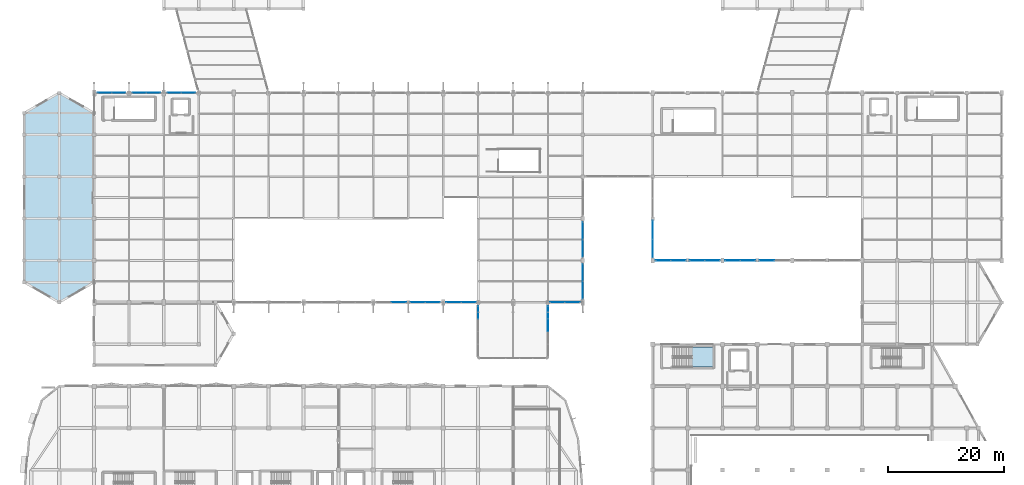
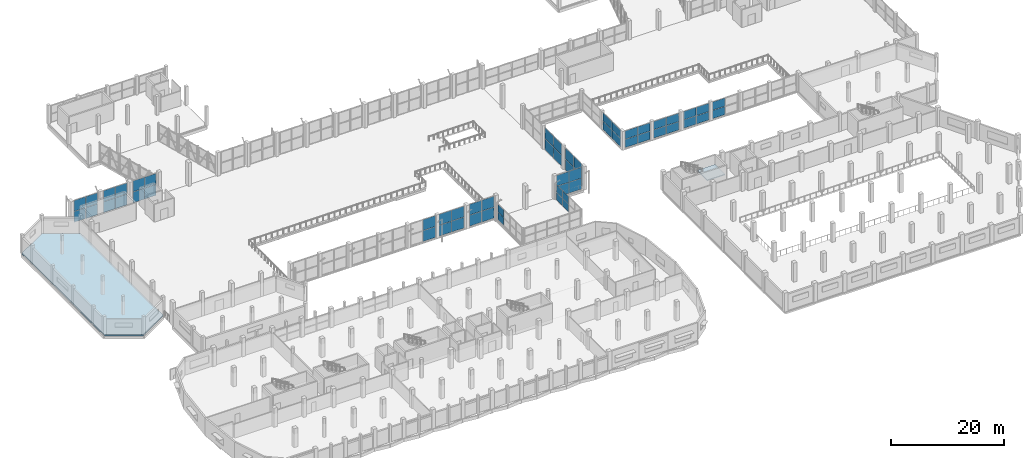
# One storey, part 95 of 127: 58 plates, 2 slabs, 17 elements without a shape of their own.
"""IFC4 building model written with IfcOpenShell, lengths in metres."""

from ifc_helpers import new_model, si_unit, direction, frame, origin, origin_2d, place, context, subcontext, project, spatial, polyline, rectangle, outline, extrude, material, layer, layer_set, type_object, element, aggregate, save


model = new_model("IFC4")

# Units and contexts
model_context = context("Model", 3, precision=1e-05, world=origin(), true_north=direction((0.0, 1.0)))
body_context = subcontext(model_context, "Body", "Model", "MODEL_VIEW")
ifc_project = project(units=[si_unit("LENGTHUNIT", "METRE"), si_unit("AREAUNIT", "SQUARE_METRE"), si_unit("VOLUMEUNIT", "CUBIC_METRE"), si_unit("PLANEANGLEUNIT", "RADIAN"), si_unit("MASSUNIT", "GRAM", prefix="KILO")], contexts=[model_context])

# Site, building, storey
site_placement = place(None, origin())
site = spatial("IfcSite", under=ifc_project, at=site_placement, CompositionType="ELEMENT")
building_placement = place(site_placement, origin())
building = spatial("IfcBuilding", under=site, at=building_placement, Name="Dunvalen Ferry Terminal", CompositionType="ELEMENT")
storey_placement = place(building_placement, frame((0.0, 0.0, 5.760009765625)))
storey = spatial("IfcBuildingStorey", under=building, at=storey_placement, Name="L01", CompositionType="ELEMENT", Elevation=5.760009765625)

# Curtain wall, plates
ifc_material_1 = material(Name="Anodised marine aluminium and solar-control glazing", Category="aluminium")
ifc_layer_1 = layer(ifc_material_1, 0.219970703125, Name="Anodised marine aluminium and solar-control glazing")
ifc_layer_set_1 = layer_set([ifc_layer_1], Name="Anodised marine aluminium and solar-control glazing")
curtain_wall_type_1 = type_object("IfcCurtainWallType", Name="ENV-CW-SYS-02", PredefinedType="NOTDEFINED", material=ifc_layer_set_1)
curtain_wall_1_placement = place(storey_placement, origin())
curtain_wall_1 = element("IfcCurtainWall", 1, at=curtain_wall_1_placement, inside=storey, type_object=curtain_wall_type_1, Name="L01 Curtain Wall CW-V1N-L01-01", PredefinedType="NOTDEFINED")
ifc_material_2 = material(Name="Low-E solar-control laminated double glazing", Category="glass")
ifc_layer_2 = layer(ifc_material_2, 0.031982421875, Name="Low-E solar-control laminated double glazing")
ifc_layer_set_2 = layer_set([ifc_layer_2], Name="Low-E solar-control laminated double glazing")
plate_type_1 = type_object("IfcPlateType", Name="ENV-CW-PNL-2", PredefinedType="CURTAIN_PANEL", material=ifc_layer_set_2)
plate_1_placement = place(storey_placement, frame((13.794921875, 86.39990234375, 0.06005859375), z_axis=(0.0, 0.0, 1.0), x_axis=(1.0, 0.0, 0.0)))
plate_1 = element("IfcPlate", 2, at=plate_1_placement, type_object=plate_type_1, Name="CW-02 panel 1.1", PredefinedType="CURTAIN_PANEL", context=body_context, shape_type="SweptSolid", body=[
    extrude(rectangle(XDim=2.35009765625, YDim=0.031982421875, at=origin_2d()), origin(), (0.0, 0.0, 1.0), 2.340087890625),
])
plate_2_placement = place(storey_placement, frame((13.794921875, 86.39990234375, 2.4599609375), z_axis=(0.0, 0.0, 1.0), x_axis=(1.0, 0.0, 0.0)))
plate_2 = element("IfcPlate", 3, at=plate_2_placement, type_object=plate_type_1, Name="CW-02 panel 1.2", PredefinedType="CURTAIN_PANEL", context=body_context, shape_type="SweptSolid", body=[
    extrude(rectangle(XDim=2.35009765625, YDim=0.031982421875, at=origin_2d()), origin(), (0.0, 0.0, 1.0), 2.340087890625),
])
plate_3_placement = place(storey_placement, frame((16.205078125, 86.39990234375, 0.06005859375), z_axis=(0.0, 0.0, 1.0), x_axis=(1.0, 0.0, 0.0)))
plate_3 = element("IfcPlate", 4, at=plate_3_placement, type_object=plate_type_1, Name="CW-02 panel 2.1", PredefinedType="CURTAIN_PANEL", context=body_context, shape_type="SweptSolid", body=[
    extrude(rectangle(XDim=2.35009765625, YDim=0.031982421875, at=origin_2d()), origin(), (0.0, 0.0, 1.0), 2.340087890625),
])
plate_4_placement = place(storey_placement, frame((16.205078125, 86.39990234375, 2.4599609375), z_axis=(0.0, 0.0, 1.0), x_axis=(1.0, 0.0, 0.0)))
plate_4 = element("IfcPlate", 5, at=plate_4_placement, type_object=plate_type_1, Name="CW-02 panel 2.2", PredefinedType="CURTAIN_PANEL", context=body_context, shape_type="SweptSolid", body=[
    extrude(rectangle(XDim=2.35009765625, YDim=0.031982421875, at=origin_2d()), origin(), (0.0, 0.0, 1.0), 2.340087890625),
])
aggregate(curtain_wall_1, [plate_1, plate_2, plate_3, plate_4])

curtain_wall_2_placement = place(storey_placement, origin())
curtain_wall_2 = element("IfcCurtainWall", 6, at=curtain_wall_2_placement, inside=storey, type_object=curtain_wall_type_1, Name="L01 Curtain Wall CW-V1N-L01-02", PredefinedType="NOTDEFINED")
plate_5_placement = place(storey_placement, frame((19.794921875, 86.39990234375, 0.06005859375), z_axis=(0.0, 0.0, 1.0), x_axis=(1.0, 0.0, 0.0)))
plate_5 = element("IfcPlate", 7, at=plate_5_placement, type_object=plate_type_1, Name="CW-02 panel 1.1", PredefinedType="CURTAIN_PANEL", context=body_context, shape_type="SweptSolid", body=[
    extrude(rectangle(XDim=2.35009765625, YDim=0.031982421875, at=origin_2d()), origin(), (0.0, 0.0, 1.0), 2.340087890625),
])
plate_6_placement = place(storey_placement, frame((19.794921875, 86.39990234375, 2.4599609375), z_axis=(0.0, 0.0, 1.0), x_axis=(1.0, 0.0, 0.0)))
plate_6 = element("IfcPlate", 8, at=plate_6_placement, type_object=plate_type_1, Name="CW-02 panel 1.2", PredefinedType="CURTAIN_PANEL", context=body_context, shape_type="SweptSolid", body=[
    extrude(rectangle(XDim=2.35009765625, YDim=0.031982421875, at=origin_2d()), origin(), (0.0, 0.0, 1.0), 2.340087890625),
])
plate_7_placement = place(storey_placement, frame((22.205078125, 86.39990234375, 0.06005859375), z_axis=(0.0, 0.0, 1.0), x_axis=(1.0, 0.0, 0.0)))
plate_7 = element("IfcPlate", 9, at=plate_7_placement, type_object=plate_type_1, Name="CW-02 panel 2.1", PredefinedType="CURTAIN_PANEL", context=body_context, shape_type="SweptSolid", body=[
    extrude(rectangle(XDim=2.35009765625, YDim=0.031982421875, at=origin_2d()), origin(), (0.0, 0.0, 1.0), 2.340087890625),
])
plate_8_placement = place(storey_placement, frame((22.205078125, 86.39990234375, 2.4599609375), z_axis=(0.0, 0.0, 1.0), x_axis=(1.0, 0.0, 0.0)))
plate_8 = element("IfcPlate", 10, at=plate_8_placement, type_object=plate_type_1, Name="CW-02 panel 2.2", PredefinedType="CURTAIN_PANEL", context=body_context, shape_type="SweptSolid", body=[
    extrude(rectangle(XDim=2.35009765625, YDim=0.031982421875, at=origin_2d()), origin(), (0.0, 0.0, 1.0), 2.340087890625),
])
aggregate(curtain_wall_2, [plate_5, plate_6, plate_7, plate_8])

curtain_wall_3_placement = place(storey_placement, origin())
curtain_wall_3 = element("IfcCurtainWall", 11, at=curtain_wall_3_placement, inside=storey, type_object=curtain_wall_type_1, Name="L01 Curtain Wall CW-V1N-L01-03", PredefinedType="NOTDEFINED")
plate_9_placement = place(storey_placement, frame((25.794921875, 86.39990234375, 0.06005859375), z_axis=(0.0, 0.0, 1.0), x_axis=(1.0, 0.0, 0.0)))
plate_9 = element("IfcPlate", 12, at=plate_9_placement, type_object=plate_type_1, Name="CW-02 panel 1.1", PredefinedType="CURTAIN_PANEL", context=body_context, shape_type="SweptSolid", body=[
    extrude(rectangle(XDim=2.35009765625, YDim=0.031982421875, at=origin_2d()), origin(), (0.0, 0.0, 1.0), 2.340087890625),
])
plate_10_placement = place(storey_placement, frame((25.794921875, 86.39990234375, 2.4599609375), z_axis=(0.0, 0.0, 1.0), x_axis=(1.0, 0.0, 0.0)))
plate_10 = element("IfcPlate", 13, at=plate_10_placement, type_object=plate_type_1, Name="CW-02 panel 1.2", PredefinedType="CURTAIN_PANEL", context=body_context, shape_type="SweptSolid", body=[
    extrude(rectangle(XDim=2.35009765625, YDim=0.031982421875, at=origin_2d()), origin(), (0.0, 0.0, 1.0), 2.340087890625),
])
plate_11_placement = place(storey_placement, frame((28.205078125, 86.39990234375, 0.06005859375), z_axis=(0.0, 0.0, 1.0), x_axis=(1.0, 0.0, 0.0)))
plate_11 = element("IfcPlate", 14, at=plate_11_placement, type_object=plate_type_1, Name="CW-02 panel 2.1", PredefinedType="CURTAIN_PANEL", context=body_context, shape_type="SweptSolid", body=[
    extrude(rectangle(XDim=2.35009765625, YDim=0.031982421875, at=origin_2d()), origin(), (0.0, 0.0, 1.0), 2.340087890625),
])
plate_12_placement = place(storey_placement, frame((28.205078125, 86.39990234375, 2.4599609375), z_axis=(0.0, 0.0, 1.0), x_axis=(1.0, 0.0, 0.0)))
plate_12 = element("IfcPlate", 15, at=plate_12_placement, type_object=plate_type_1, Name="CW-02 panel 2.2", PredefinedType="CURTAIN_PANEL", context=body_context, shape_type="SweptSolid", body=[
    extrude(rectangle(XDim=2.35009765625, YDim=0.031982421875, at=origin_2d()), origin(), (0.0, 0.0, 1.0), 2.340087890625),
])
aggregate(curtain_wall_3, [plate_9, plate_10, plate_11, plate_12])

curtain_wall_4_placement = place(storey_placement, origin())
curtain_wall_4 = element("IfcCurtainWall", 16, at=curtain_wall_4_placement, inside=storey, type_object=curtain_wall_type_1, Name="L01 Curtain Wall CW-V1S-L01-05", PredefinedType="NOTDEFINED")
plate_13_placement = place(storey_placement, frame((64.3662109375, 50.39990234375, 0.079833984375), z_axis=(0.0, 0.0, 1.0), x_axis=(1.0, 0.0, 0.0)))
plate_13 = element("IfcPlate", 17, at=plate_13_placement, type_object=plate_type_1, Name="CW-02 panel 2.1", PredefinedType="CURTAIN_PANEL", context=body_context, shape_type="SweptSolid", body=[
    extrude(rectangle(XDim=2.49755859375, YDim=0.031982421875, at=origin_2d()), origin(), (0.0, 0.0, 1.0), 2.330078125),
])
plate_14_placement = place(storey_placement, frame((64.3662109375, 50.39990234375, 2.469970703125), z_axis=(0.0, 0.0, 1.0), x_axis=(1.0, 0.0, 0.0)))
plate_14 = element("IfcPlate", 18, at=plate_14_placement, type_object=plate_type_1, Name="CW-02 panel 2.2", PredefinedType="CURTAIN_PANEL", context=body_context, shape_type="SweptSolid", body=[
    extrude(rectangle(XDim=2.49755859375, YDim=0.031982421875, at=origin_2d()), origin(), (0.0, 0.0, 1.0), 2.330078125),
])
aggregate(curtain_wall_4, [plate_13, plate_14])

curtain_wall_5_placement = place(storey_placement, origin())
curtain_wall_5 = element("IfcCurtainWall", 19, at=curtain_wall_5_placement, inside=storey, type_object=curtain_wall_type_1, Name="L01 Curtain Wall CW-V1S-L01-06", PredefinedType="NOTDEFINED")
plate_15_placement = place(storey_placement, frame((67.6337890625, 50.39990234375, 0.079833984375), z_axis=(0.0, 0.0, 1.0), x_axis=(1.0, 0.0, 0.0)))
plate_15 = element("IfcPlate", 20, at=plate_15_placement, type_object=plate_type_1, Name="CW-02 panel 1.1", PredefinedType="CURTAIN_PANEL", context=body_context, shape_type="SweptSolid", body=[
    extrude(rectangle(XDim=2.49755859375, YDim=0.031982421875, at=origin_2d()), origin(), (0.0, 0.0, 1.0), 2.330078125),
])
plate_16_placement = place(storey_placement, frame((67.6337890625, 50.39990234375, 2.469970703125), z_axis=(0.0, 0.0, 1.0), x_axis=(1.0, 0.0, 0.0)))
plate_16 = element("IfcPlate", 21, at=plate_16_placement, type_object=plate_type_1, Name="CW-02 panel 1.2", PredefinedType="CURTAIN_PANEL", context=body_context, shape_type="SweptSolid", body=[
    extrude(rectangle(XDim=2.49755859375, YDim=0.031982421875, at=origin_2d()), origin(), (0.0, 0.0, 1.0), 2.330078125),
])
plate_17_placement = place(storey_placement, frame((70.191162109375, 50.39990234375, 0.079833984375), z_axis=(0.0, 0.0, 1.0), x_axis=(1.0, 0.0, 0.0)))
plate_17 = element("IfcPlate", 22, at=plate_17_placement, type_object=plate_type_1, Name="CW-02 panel 2.1", PredefinedType="CURTAIN_PANEL", context=body_context, shape_type="SweptSolid", body=[
    extrude(rectangle(XDim=2.49755859375, YDim=0.031982421875, at=origin_2d()), origin(), (0.0, 0.0, 1.0), 2.330078125),
])
plate_18_placement = place(storey_placement, frame((70.191162109375, 50.39990234375, 2.469970703125), z_axis=(0.0, 0.0, 1.0), x_axis=(1.0, 0.0, 0.0)))
plate_18 = element("IfcPlate", 23, at=plate_18_placement, type_object=plate_type_1, Name="CW-02 panel 2.2", PredefinedType="CURTAIN_PANEL", context=body_context, shape_type="SweptSolid", body=[
    extrude(rectangle(XDim=2.49755859375, YDim=0.031982421875, at=origin_2d()), origin(), (0.0, 0.0, 1.0), 2.330078125),
])
aggregate(curtain_wall_5, [plate_15, plate_16, plate_17, plate_18])

curtain_wall_6_placement = place(storey_placement, origin())
curtain_wall_6 = element("IfcCurtainWall", 24, at=curtain_wall_6_placement, inside=storey, type_object=curtain_wall_type_1, Name="L01 Curtain Wall CW-V1S-L01-07", PredefinedType="NOTDEFINED")
plate_19_placement = place(storey_placement, frame((73.808837890625, 50.39990234375, 0.079833984375), z_axis=(0.0, 0.0, 1.0), x_axis=(1.0, 0.0, 0.0)))
plate_19 = element("IfcPlate", 25, at=plate_19_placement, type_object=plate_type_1, Name="CW-02 panel 1.1", PredefinedType="CURTAIN_PANEL", context=body_context, shape_type="SweptSolid", body=[
    extrude(rectangle(XDim=2.49755859375, YDim=0.031982421875, at=origin_2d()), origin(), (0.0, 0.0, 1.0), 2.330078125),
])
plate_20_placement = place(storey_placement, frame((73.808837890625, 50.39990234375, 2.469970703125), z_axis=(0.0, 0.0, 1.0), x_axis=(1.0, 0.0, 0.0)))
plate_20 = element("IfcPlate", 26, at=plate_20_placement, type_object=plate_type_1, Name="CW-02 panel 1.2", PredefinedType="CURTAIN_PANEL", context=body_context, shape_type="SweptSolid", body=[
    extrude(rectangle(XDim=2.49755859375, YDim=0.031982421875, at=origin_2d()), origin(), (0.0, 0.0, 1.0), 2.330078125),
])
plate_21_placement = place(storey_placement, frame((76.3662109375, 50.39990234375, 0.079833984375), z_axis=(0.0, 0.0, 1.0), x_axis=(1.0, 0.0, 0.0)))
plate_21 = element("IfcPlate", 27, at=plate_21_placement, type_object=plate_type_1, Name="CW-02 panel 2.1", PredefinedType="CURTAIN_PANEL", context=body_context, shape_type="SweptSolid", body=[
    extrude(rectangle(XDim=2.49755859375, YDim=0.031982421875, at=origin_2d()), origin(), (0.0, 0.0, 1.0), 2.330078125),
])
plate_22_placement = place(storey_placement, frame((76.3662109375, 50.39990234375, 2.469970703125), z_axis=(0.0, 0.0, 1.0), x_axis=(1.0, 0.0, 0.0)))
plate_22 = element("IfcPlate", 28, at=plate_22_placement, type_object=plate_type_1, Name="CW-02 panel 2.2", PredefinedType="CURTAIN_PANEL", context=body_context, shape_type="SweptSolid", body=[
    extrude(rectangle(XDim=2.49755859375, YDim=0.031982421875, at=origin_2d()), origin(), (0.0, 0.0, 1.0), 2.330078125),
])
aggregate(curtain_wall_6, [plate_19, plate_20, plate_21, plate_22])

curtain_wall_7_placement = place(storey_placement, origin())
curtain_wall_7 = element("IfcCurtainWall", 29, at=curtain_wall_7_placement, inside=storey, type_object=curtain_wall_type_1, Name="L01 Curtain Wall CW-V1S-L01-10", PredefinedType="NOTDEFINED")
plate_23_placement = place(storey_placement, frame((91.6337890625, 50.39990234375, 0.079833984375), z_axis=(0.0, 0.0, 1.0), x_axis=(1.0, 0.0, 0.0)))
plate_23 = element("IfcPlate", 30, at=plate_23_placement, type_object=plate_type_1, Name="CW-02 panel 1.1", PredefinedType="CURTAIN_PANEL", context=body_context, shape_type="SweptSolid", body=[
    extrude(rectangle(XDim=2.49755859375, YDim=0.031982421875, at=origin_2d()), origin(), (0.0, 0.0, 1.0), 2.330078125),
])
plate_24_placement = place(storey_placement, frame((91.6337890625, 50.39990234375, 2.469970703125), z_axis=(0.0, 0.0, 1.0), x_axis=(1.0, 0.0, 0.0)))
plate_24 = element("IfcPlate", 31, at=plate_24_placement, type_object=plate_type_1, Name="CW-02 panel 1.2", PredefinedType="CURTAIN_PANEL", context=body_context, shape_type="SweptSolid", body=[
    extrude(rectangle(XDim=2.49755859375, YDim=0.031982421875, at=origin_2d()), origin(), (0.0, 0.0, 1.0), 2.330078125),
])
plate_25_placement = place(storey_placement, frame((94.191162109375, 50.39990234375, 0.079833984375), z_axis=(0.0, 0.0, 1.0), x_axis=(1.0, 0.0, 0.0)))
plate_25 = element("IfcPlate", 32, at=plate_25_placement, type_object=plate_type_1, Name="CW-02 panel 2.1", PredefinedType="CURTAIN_PANEL", context=body_context, shape_type="SweptSolid", body=[
    extrude(rectangle(XDim=2.49755859375, YDim=0.031982421875, at=origin_2d()), origin(), (0.0, 0.0, 1.0), 2.330078125),
])
plate_26_placement = place(storey_placement, frame((94.191162109375, 50.39990234375, 2.469970703125), z_axis=(0.0, 0.0, 1.0), x_axis=(1.0, 0.0, 0.0)))
plate_26 = element("IfcPlate", 33, at=plate_26_placement, type_object=plate_type_1, Name="CW-02 panel 2.2", PredefinedType="CURTAIN_PANEL", context=body_context, shape_type="SweptSolid", body=[
    extrude(rectangle(XDim=2.49755859375, YDim=0.031982421875, at=origin_2d()), origin(), (0.0, 0.0, 1.0), 2.330078125),
])
aggregate(curtain_wall_7, [plate_23, plate_24, plate_25, plate_26])

ifc_layer_3 = layer(ifc_material_1, 0.219970703125, Name="Anodised marine aluminium and solar-control glazing")
ifc_layer_set_3 = layer_set([ifc_layer_3], Name="Anodised marine aluminium and solar-control glazing")
curtain_wall_type_2 = type_object("IfcCurtainWallType", Name="ENV-CW-SYS-04", PredefinedType="NOTDEFINED", material=ifc_layer_set_3)
curtain_wall_8_placement = place(storey_placement, origin())
curtain_wall_8 = element("IfcCurtainWall", 34, at=curtain_wall_8_placement, inside=storey, type_object=curtain_wall_type_2, Name="L01 Curtain Wall CW-V1E-L01-01", PredefinedType="NOTDEFINED")
plate_27_placement = place(storey_placement, frame((96.0, 52.4951171875, 0.06005859375), z_axis=(0.0, 0.0, 1.0), x_axis=(0.0, 1.0, 0.0)))
plate_27 = element("IfcPlate", 35, at=plate_27_placement, type_object=plate_type_1, Name="CW-04 panel 1.1", PredefinedType="CURTAIN_PANEL", context=body_context, shape_type="SweptSolid", body=[
    extrude(rectangle(XDim=2.949951171875, YDim=0.031982421875, at=origin_2d()), origin(), (0.0, 0.0, 1.0), 2.340087890625),
])
plate_28_placement = place(storey_placement, frame((96.0, 52.4951171875, 2.4599609375), z_axis=(0.0, 0.0, 1.0), x_axis=(0.0, 1.0, 0.0)))
plate_28 = element("IfcPlate", 36, at=plate_28_placement, type_object=plate_type_1, Name="CW-04 panel 1.2", PredefinedType="CURTAIN_PANEL", context=body_context, shape_type="SweptSolid", body=[
    extrude(rectangle(XDim=2.949951171875, YDim=0.031982421875, at=origin_2d()), origin(), (0.0, 0.0, 1.0), 2.340087890625),
])
plate_29_placement = place(storey_placement, frame((96.0, 55.5048828125, 0.06005859375), z_axis=(0.0, 0.0, 1.0), x_axis=(0.0, 1.0, 0.0)))
plate_29 = element("IfcPlate", 37, at=plate_29_placement, type_object=plate_type_1, Name="CW-04 panel 2.1", PredefinedType="CURTAIN_PANEL", context=body_context, shape_type="SweptSolid", body=[
    extrude(rectangle(XDim=2.949951171875, YDim=0.031982421875, at=origin_2d()), origin(), (0.0, 0.0, 1.0), 2.340087890625),
])
plate_30_placement = place(storey_placement, frame((96.0, 55.5048828125, 2.4599609375), z_axis=(0.0, 0.0, 1.0), x_axis=(0.0, 1.0, 0.0)))
plate_30 = element("IfcPlate", 38, at=plate_30_placement, type_object=plate_type_1, Name="CW-04 panel 2.2", PredefinedType="CURTAIN_PANEL", context=body_context, shape_type="SweptSolid", body=[
    extrude(rectangle(XDim=2.949951171875, YDim=0.031982421875, at=origin_2d()), origin(), (0.0, 0.0, 1.0), 2.340087890625),
])
aggregate(curtain_wall_8, [plate_27, plate_28, plate_29, plate_30])

curtain_wall_9_placement = place(storey_placement, origin())
curtain_wall_9 = element("IfcCurtainWall", 39, at=curtain_wall_9_placement, inside=storey, type_object=curtain_wall_type_2, Name="L01 Curtain Wall CW-V1E-L01-02", PredefinedType="NOTDEFINED")
plate_31_placement = place(storey_placement, frame((96.0, 59.695068359375, 0.06005859375), z_axis=(0.0, 0.0, 1.0), x_axis=(0.0, 1.0, 0.0)))
plate_31 = element("IfcPlate", 40, at=plate_31_placement, type_object=plate_type_1, Name="CW-04 panel 1.1", PredefinedType="CURTAIN_PANEL", context=body_context, shape_type="SweptSolid", body=[
    extrude(rectangle(XDim=2.949951171875, YDim=0.031982421875, at=origin_2d()), origin(), (0.0, 0.0, 1.0), 2.340087890625),
])
plate_32_placement = place(storey_placement, frame((96.0, 59.695068359375, 2.4599609375), z_axis=(0.0, 0.0, 1.0), x_axis=(0.0, 1.0, 0.0)))
plate_32 = element("IfcPlate", 41, at=plate_32_placement, type_object=plate_type_1, Name="CW-04 panel 1.2", PredefinedType="CURTAIN_PANEL", context=body_context, shape_type="SweptSolid", body=[
    extrude(rectangle(XDim=2.949951171875, YDim=0.031982421875, at=origin_2d()), origin(), (0.0, 0.0, 1.0), 2.340087890625),
])
plate_33_placement = place(storey_placement, frame((96.0, 62.705078125, 0.06005859375), z_axis=(0.0, 0.0, 1.0), x_axis=(0.0, 1.0, 0.0)))
plate_33 = element("IfcPlate", 42, at=plate_33_placement, type_object=plate_type_1, Name="CW-04 panel 2.1", PredefinedType="CURTAIN_PANEL", context=body_context, shape_type="SweptSolid", body=[
    extrude(rectangle(XDim=2.949951171875, YDim=0.031982421875, at=origin_2d()), origin(), (0.0, 0.0, 1.0), 2.340087890625),
])
plate_34_placement = place(storey_placement, frame((96.0, 62.705078125, 2.4599609375), z_axis=(0.0, 0.0, 1.0), x_axis=(0.0, 1.0, 0.0)))
plate_34 = element("IfcPlate", 43, at=plate_34_placement, type_object=plate_type_1, Name="CW-04 panel 2.2", PredefinedType="CURTAIN_PANEL", context=body_context, shape_type="SweptSolid", body=[
    extrude(rectangle(XDim=2.949951171875, YDim=0.031982421875, at=origin_2d()), origin(), (0.0, 0.0, 1.0), 2.340087890625),
])
aggregate(curtain_wall_9, [plate_31, plate_32, plate_33, plate_34])

curtain_wall_10_placement = place(storey_placement, origin())
curtain_wall_10 = element("IfcCurtainWall", 44, at=curtain_wall_10_placement, inside=storey, type_object=curtain_wall_type_2, Name="L01 Curtain Wall CW-V2W-L01-1", PredefinedType="NOTDEFINED")
plate_35_placement = place(storey_placement, frame((108.0, 59.677490234375, 0.080078125), z_axis=(0.0, 0.0, 1.0), x_axis=(0.0, 1.0, 0.0)))
plate_35 = element("IfcPlate", 45, at=plate_35_placement, type_object=plate_type_1, Name="CW-04 panel 1.1", PredefinedType="CURTAIN_PANEL", context=body_context, shape_type="SweptSolid", body=[
    extrude(rectangle(XDim=3.135009765625, YDim=0.031982421875, at=origin_2d()), origin(), (0.0, 0.0, 1.0), 1.780029296875),
])
plate_36_placement = place(storey_placement, frame((108.0, 59.677490234375, 1.919921875), z_axis=(0.0, 0.0, 1.0), x_axis=(0.0, 1.0, 0.0)))
plate_36 = element("IfcPlate", 46, at=plate_36_placement, type_object=plate_type_1, Name="CW-04 panel 1.2", PredefinedType="CURTAIN_PANEL", context=body_context, shape_type="SweptSolid", body=[
    extrude(rectangle(XDim=3.135009765625, YDim=0.031982421875, at=origin_2d()), origin(), (0.0, 0.0, 1.0), 1.780029296875),
])
plate_37_placement = place(storey_placement, frame((108.0, 62.87255859375, 0.080078125), z_axis=(0.0, 0.0, 1.0), x_axis=(0.0, 1.0, 0.0)))
plate_37 = element("IfcPlate", 47, at=plate_37_placement, type_object=plate_type_1, Name="CW-04 panel 2.1", PredefinedType="CURTAIN_PANEL", context=body_context, shape_type="SweptSolid", body=[
    extrude(rectangle(XDim=3.135009765625, YDim=0.031982421875, at=origin_2d()), origin(), (0.0, 0.0, 1.0), 1.780029296875),
])
plate_38_placement = place(storey_placement, frame((108.0, 62.87255859375, 1.919921875), z_axis=(0.0, 0.0, 1.0), x_axis=(0.0, 1.0, 0.0)))
plate_38 = element("IfcPlate", 48, at=plate_38_placement, type_object=plate_type_1, Name="CW-04 panel 2.2", PredefinedType="CURTAIN_PANEL", context=body_context, shape_type="SweptSolid", body=[
    extrude(rectangle(XDim=3.135009765625, YDim=0.031982421875, at=origin_2d()), origin(), (0.0, 0.0, 1.0), 1.780029296875),
])
aggregate(curtain_wall_10, [plate_35, plate_36, plate_37, plate_38])

ifc_layer_4 = layer(ifc_material_1, 0.159912109375, Name="Anodised marine aluminium and solar-control glazing")
ifc_layer_set_4 = layer_set([ifc_layer_4], Name="Anodised marine aluminium and solar-control glazing")
curtain_wall_type_3 = type_object("IfcCurtainWallType", Name="ENV-CW-SYS-10", PredefinedType="NOTDEFINED", material=ifc_layer_set_4)
curtain_wall_11_placement = place(storey_placement, origin())
curtain_wall_11 = element("IfcCurtainWall", 49, at=curtain_wall_11_placement, inside=storey, type_object=curtain_wall_type_3, Name="L01 Curtain Wall CW-LNK51-1", PredefinedType="NOTDEFINED")
ifc_layer_5 = layer(ifc_material_2, 0.035888671875, Name="Low-E solar-control laminated double glazing")
ifc_layer_set_5 = layer_set([ifc_layer_5], Name="Low-E solar-control laminated double glazing")
plate_type_2 = type_object("IfcPlateType", Name="ENV-CW-PNL-3", PredefinedType="CURTAIN_PANEL", material=ifc_layer_set_5)
plate_39_placement = place(storey_placement, frame((78.0, 48.6474609375, 0.06005859375), z_axis=(0.0, 0.0, 1.0), x_axis=(0.0, 1.0, 0.0)))
plate_39 = element("IfcPlate", 50, at=plate_39_placement, type_object=plate_type_2, Name="CW-10 panel 4.1", PredefinedType="CURTAIN_PANEL", context=body_context, shape_type="SweptSolid", body=[
    extrude(rectangle(XDim=2.0849609375, YDim=0.035888671875, at=origin_2d()), origin(), (0.0, 0.0, 1.0), 1.6298828125),
])
plate_40_placement = place(storey_placement, frame((78.0, 48.6474609375, 1.75), z_axis=(0.0, 0.0, 1.0), x_axis=(0.0, 1.0, 0.0)))
plate_40 = element("IfcPlate", 51, at=plate_40_placement, type_object=plate_type_2, Name="CW-10 panel 4.2", PredefinedType="CURTAIN_PANEL", context=body_context, shape_type="SweptSolid", body=[
    extrude(rectangle(XDim=2.0849609375, YDim=0.035888671875, at=origin_2d()), origin(), (0.0, 0.0, 1.0), 1.6298828125),
])
aggregate(curtain_wall_11, [plate_39, plate_40])

curtain_wall_12_placement = place(storey_placement, origin())
curtain_wall_12 = element("IfcCurtainWall", 52, at=curtain_wall_12_placement, inside=storey, type_object=curtain_wall_type_3, Name="L01 Curtain Wall CW-LNK51-2", PredefinedType="NOTDEFINED")
plate_41_placement = place(storey_placement, frame((90.0, 46.487548828125, 0.06005859375), z_axis=(0.0, 0.0, 1.0), x_axis=(0.0, 1.0, 0.0)))
plate_41 = element("IfcPlate", 53, at=plate_41_placement, type_object=plate_type_2, Name="CW-10 panel 3.1", PredefinedType="CURTAIN_PANEL", context=body_context, shape_type="SweptSolid", body=[
    extrude(rectangle(XDim=2.114990234375, YDim=0.035888671875, at=origin_2d()), origin(), (0.0, 0.0, 1.0), 1.6298828125),
])
plate_42_placement = place(storey_placement, frame((90.0, 46.487548828125, 1.75), z_axis=(0.0, 0.0, 1.0), x_axis=(0.0, 1.0, 0.0)))
plate_42 = element("IfcPlate", 54, at=plate_42_placement, type_object=plate_type_2, Name="CW-10 panel 3.2", PredefinedType="CURTAIN_PANEL", context=body_context, shape_type="SweptSolid", body=[
    extrude(rectangle(XDim=2.114990234375, YDim=0.035888671875, at=origin_2d()), origin(), (0.0, 0.0, 1.0), 1.6298828125),
])
plate_43_placement = place(storey_placement, frame((90.0, 48.6474609375, 0.06005859375), z_axis=(0.0, 0.0, 1.0), x_axis=(0.0, 1.0, 0.0)))
plate_43 = element("IfcPlate", 55, at=plate_43_placement, type_object=plate_type_2, Name="CW-10 panel 4.1", PredefinedType="CURTAIN_PANEL", context=body_context, shape_type="SweptSolid", body=[
    extrude(rectangle(XDim=2.0849609375, YDim=0.035888671875, at=origin_2d()), origin(), (0.0, 0.0, 1.0), 1.6298828125),
])
plate_44_placement = place(storey_placement, frame((90.0, 48.6474609375, 1.75), z_axis=(0.0, 0.0, 1.0), x_axis=(0.0, 1.0, 0.0)))
plate_44 = element("IfcPlate", 56, at=plate_44_placement, type_object=plate_type_2, Name="CW-10 panel 4.2", PredefinedType="CURTAIN_PANEL", context=body_context, shape_type="SweptSolid", body=[
    extrude(rectangle(XDim=2.0849609375, YDim=0.035888671875, at=origin_2d()), origin(), (0.0, 0.0, 1.0), 1.6298828125),
])
aggregate(curtain_wall_12, [plate_41, plate_42, plate_43, plate_44])

curtain_wall_13_placement = place(storey_placement, origin())
curtain_wall_13 = element("IfcCurtainWall", 57, at=curtain_wall_13_placement, inside=storey, type_object=curtain_wall_type_1, Name="L01 Curtain Wall CW-V2S-L01-01", PredefinedType="NOTDEFINED")
ifc_layer_6 = layer(ifc_material_2, 0.0400390625, Name="Low-E solar-control laminated double glazing")
ifc_layer_set_6 = layer_set([ifc_layer_6], Name="Low-E solar-control laminated double glazing")
plate_type_3 = type_object("IfcPlateType", Name="ENV-CW-PNL-4", PredefinedType="CURTAIN_PANEL", material=ifc_layer_set_6)
plate_45_placement = place(storey_placement, frame((109.777587890625, 57.60009765625, 0.080078125), z_axis=(0.0, 0.0, 1.0), x_axis=(1.0, 0.0, 0.0)))
plate_45 = element("IfcPlate", 58, at=plate_45_placement, type_object=plate_type_3, Name="CW-02 panel 1.1", PredefinedType="CURTAIN_PANEL", context=body_context, shape_type="SweptSolid", body=[
    extrude(rectangle(XDim=2.534912109375, YDim=0.0400390625, at=origin_2d()), origin(), (0.0, 0.0, 1.0), 1.780029296875),
])
plate_46_placement = place(storey_placement, frame((109.777587890625, 57.60009765625, 1.919921875), z_axis=(0.0, 0.0, 1.0), x_axis=(1.0, 0.0, 0.0)))
plate_46 = element("IfcPlate", 59, at=plate_46_placement, type_object=plate_type_3, Name="CW-02 panel 1.2", PredefinedType="CURTAIN_PANEL", context=body_context, shape_type="SweptSolid", body=[
    extrude(rectangle(XDim=2.534912109375, YDim=0.0400390625, at=origin_2d()), origin(), (0.0, 0.0, 1.0), 1.780029296875),
])
plate_47_placement = place(storey_placement, frame((112.37255859375, 57.60009765625, 0.080078125), z_axis=(0.0, 0.0, 1.0), x_axis=(1.0, 0.0, 0.0)))
plate_47 = element("IfcPlate", 60, at=plate_47_placement, type_object=plate_type_3, Name="CW-02 panel 2.1", PredefinedType="CURTAIN_PANEL", context=body_context, shape_type="SweptSolid", body=[
    extrude(rectangle(XDim=2.534912109375, YDim=0.0400390625, at=origin_2d()), origin(), (0.0, 0.0, 1.0), 1.780029296875),
])
plate_48_placement = place(storey_placement, frame((112.37255859375, 57.60009765625, 1.919921875), z_axis=(0.0, 0.0, 1.0), x_axis=(1.0, 0.0, 0.0)))
plate_48 = element("IfcPlate", 61, at=plate_48_placement, type_object=plate_type_3, Name="CW-02 panel 2.2", PredefinedType="CURTAIN_PANEL", context=body_context, shape_type="SweptSolid", body=[
    extrude(rectangle(XDim=2.534912109375, YDim=0.0400390625, at=origin_2d()), origin(), (0.0, 0.0, 1.0), 1.780029296875),
])
aggregate(curtain_wall_13, [plate_45, plate_46, plate_47, plate_48])

curtain_wall_14_placement = place(storey_placement, origin())
curtain_wall_14 = element("IfcCurtainWall", 62, at=curtain_wall_14_placement, inside=storey, type_object=curtain_wall_type_1, Name="L01 Curtain Wall CW-V2S-L01-02", PredefinedType="NOTDEFINED")
plate_49_placement = place(storey_placement, frame((115.62744140625, 57.60009765625, 0.080078125), z_axis=(0.0, 0.0, 1.0), x_axis=(1.0, 0.0, 0.0)))
plate_49 = element("IfcPlate", 63, at=plate_49_placement, type_object=plate_type_3, Name="CW-02 panel 1.1", PredefinedType="CURTAIN_PANEL", context=body_context, shape_type="SweptSolid", body=[
    extrude(rectangle(XDim=2.534912109375, YDim=0.0400390625, at=origin_2d()), origin(), (0.0, 0.0, 1.0), 1.780029296875),
])
plate_50_placement = place(storey_placement, frame((115.62744140625, 57.60009765625, 1.919921875), z_axis=(0.0, 0.0, 1.0), x_axis=(1.0, 0.0, 0.0)))
plate_50 = element("IfcPlate", 64, at=plate_50_placement, type_object=plate_type_3, Name="CW-02 panel 1.2", PredefinedType="CURTAIN_PANEL", context=body_context, shape_type="SweptSolid", body=[
    extrude(rectangle(XDim=2.534912109375, YDim=0.0400390625, at=origin_2d()), origin(), (0.0, 0.0, 1.0), 1.780029296875),
])
plate_51_placement = place(storey_placement, frame((118.222412109375, 57.60009765625, 0.080078125), z_axis=(0.0, 0.0, 1.0), x_axis=(1.0, 0.0, 0.0)))
plate_51 = element("IfcPlate", 65, at=plate_51_placement, type_object=plate_type_3, Name="CW-02 panel 2.1", PredefinedType="CURTAIN_PANEL", context=body_context, shape_type="SweptSolid", body=[
    extrude(rectangle(XDim=2.534912109375, YDim=0.0400390625, at=origin_2d()), origin(), (0.0, 0.0, 1.0), 1.780029296875),
])
plate_52_placement = place(storey_placement, frame((118.222412109375, 57.60009765625, 1.919921875), z_axis=(0.0, 0.0, 1.0), x_axis=(1.0, 0.0, 0.0)))
plate_52 = element("IfcPlate", 66, at=plate_52_placement, type_object=plate_type_3, Name="CW-02 panel 2.2", PredefinedType="CURTAIN_PANEL", context=body_context, shape_type="SweptSolid", body=[
    extrude(rectangle(XDim=2.534912109375, YDim=0.0400390625, at=origin_2d()), origin(), (0.0, 0.0, 1.0), 1.780029296875),
])
aggregate(curtain_wall_14, [plate_49, plate_50, plate_51, plate_52])

curtain_wall_15_placement = place(storey_placement, origin())
curtain_wall_15 = element("IfcCurtainWall", 67, at=curtain_wall_15_placement, inside=storey, type_object=curtain_wall_type_1, Name="L01 Curtain Wall CW-V2S-L01-03", PredefinedType="NOTDEFINED")
plate_53_placement = place(storey_placement, frame((121.777587890625, 57.60009765625, 0.080078125), z_axis=(0.0, 0.0, 1.0), x_axis=(1.0, 0.0, 0.0)))
plate_53 = element("IfcPlate", 68, at=plate_53_placement, type_object=plate_type_3, Name="CW-02 panel 1.1", PredefinedType="CURTAIN_PANEL", context=body_context, shape_type="SweptSolid", body=[
    extrude(rectangle(XDim=2.534912109375, YDim=0.0400390625, at=origin_2d()), origin(), (0.0, 0.0, 1.0), 1.780029296875),
])
plate_54_placement = place(storey_placement, frame((121.777587890625, 57.60009765625, 1.919921875), z_axis=(0.0, 0.0, 1.0), x_axis=(1.0, 0.0, 0.0)))
plate_54 = element("IfcPlate", 69, at=plate_54_placement, type_object=plate_type_3, Name="CW-02 panel 1.2", PredefinedType="CURTAIN_PANEL", context=body_context, shape_type="SweptSolid", body=[
    extrude(rectangle(XDim=2.534912109375, YDim=0.0400390625, at=origin_2d()), origin(), (0.0, 0.0, 1.0), 1.780029296875),
])
plate_55_placement = place(storey_placement, frame((124.37255859375, 57.60009765625, 0.080078125), z_axis=(0.0, 0.0, 1.0), x_axis=(1.0, 0.0, 0.0)))
plate_55 = element("IfcPlate", 70, at=plate_55_placement, type_object=plate_type_3, Name="CW-02 panel 2.1", PredefinedType="CURTAIN_PANEL", context=body_context, shape_type="SweptSolid", body=[
    extrude(rectangle(XDim=2.534912109375, YDim=0.0400390625, at=origin_2d()), origin(), (0.0, 0.0, 1.0), 1.780029296875),
])
plate_56_placement = place(storey_placement, frame((124.37255859375, 57.60009765625, 1.919921875), z_axis=(0.0, 0.0, 1.0), x_axis=(1.0, 0.0, 0.0)))
plate_56 = element("IfcPlate", 71, at=plate_56_placement, type_object=plate_type_3, Name="CW-02 panel 2.2", PredefinedType="CURTAIN_PANEL", context=body_context, shape_type="SweptSolid", body=[
    extrude(rectangle(XDim=2.534912109375, YDim=0.0400390625, at=origin_2d()), origin(), (0.0, 0.0, 1.0), 1.780029296875),
])
aggregate(curtain_wall_15, [plate_53, plate_54, plate_55, plate_56])

curtain_wall_16_placement = place(storey_placement, origin())
curtain_wall_16 = element("IfcCurtainWall", 72, at=curtain_wall_16_placement, inside=storey, type_object=curtain_wall_type_1, Name="L01 Curtain Wall CW-V2S-L01-04", PredefinedType="NOTDEFINED")
plate_57_placement = place(storey_placement, frame((127.62744140625, 57.60009765625, 0.080078125), z_axis=(0.0, 0.0, 1.0), x_axis=(1.0, 0.0, 0.0)))
plate_57 = element("IfcPlate", 73, at=plate_57_placement, type_object=plate_type_3, Name="CW-02 panel 1.1", PredefinedType="CURTAIN_PANEL", context=body_context, shape_type="SweptSolid", body=[
    extrude(rectangle(XDim=2.534912109375, YDim=0.0400390625, at=origin_2d()), origin(), (0.0, 0.0, 1.0), 1.780029296875),
])
plate_58_placement = place(storey_placement, frame((127.62744140625, 57.60009765625, 1.919921875), z_axis=(0.0, 0.0, 1.0), x_axis=(1.0, 0.0, 0.0)))
plate_58 = element("IfcPlate", 74, at=plate_58_placement, type_object=plate_type_3, Name="CW-02 panel 1.2", PredefinedType="CURTAIN_PANEL", context=body_context, shape_type="SweptSolid", body=[
    extrude(rectangle(XDim=2.534912109375, YDim=0.0400390625, at=origin_2d()), origin(), (0.0, 0.0, 1.0), 1.780029296875),
])
aggregate(curtain_wall_16, [plate_57, plate_58])

# Stair, slab
ifc_material_3 = material(Name="Concrete C35/45", Category="concrete")
stair_type = type_object("IfcStairType", Name="INT-ST-DLG-06", PredefinedType="HALF_TURN_STAIR", material=ifc_material_3)
stair_placement = place(storey_placement, origin())
stair = element("IfcStair", 75, at=stair_placement, inside=storey, type_object=stair_type, Name="L01 Protected Escape Stair 4", PredefinedType="HALF_TURN_STAIR")
ifc_layer_7 = layer(ifc_material_3, 0.199951171875, Name="Concrete C35/45")
ifc_layer_set_7 = layer_set([ifc_layer_7], Name="Concrete C35/45")
slab_type_1 = type_object("IfcSlabType", Name="INT-SLB-LND200", PredefinedType="LANDING", material=ifc_layer_set_7)
slab_1_placement = place(storey_placement, frame((0.0, 0.0, 1.840087890625)))
slab_1 = element("IfcSlab", 76, at=slab_1_placement, type_object=slab_type_1, Name="ST4 landing 1", PredefinedType="LANDING", context=body_context, shape_type="SweptSolid", body=[
    extrude(outline(polyline([(114.75, 39.25), (118.35009765625, 39.25), (118.35009765625, 42.75), (114.75, 42.75), (114.75, 39.25)])), origin(), (0.0, 0.0, 1.0), 0.199951171875),
])
aggregate(stair, [slab_1])

# Slab
ifc_material_4 = material(Name="Concrete C40/50", Category="concrete")
ifc_layer_8 = layer(ifc_material_4, 0.280029296875, Name="Concrete C40/50")
ifc_layer_set_8 = layer_set([ifc_layer_8], Name="Concrete C40/50")
slab_type_2 = type_object("IfcSlabType", Name="STR-SLB-FLR280", PredefinedType="FLOOR", material=ifc_layer_set_8)
slab_2_placement = place(storey_placement, frame((0.0, 0.0, -0.280029296875)))
element("IfcSlab", 77, at=slab_2_placement, inside=storey, type_object=slab_type_2, Name="L01 West Baggage Annex Upper Floor Slab", PredefinedType="FLOOR", context=body_context, shape_type="SweptSolid", body=[
    extrude(outline(polyline([(6.0, 50.39990234375), (12.0, 53.864013671875), (12.0, 82.935791015625), (6.0, 86.39990234375), (0.0, 82.935791015625), (0.0, 53.864013671875), (6.0, 50.39990234375)])), origin(), (0.0, 0.0, 1.0), 0.280029296875),
])

save(model, "model.ifc")
